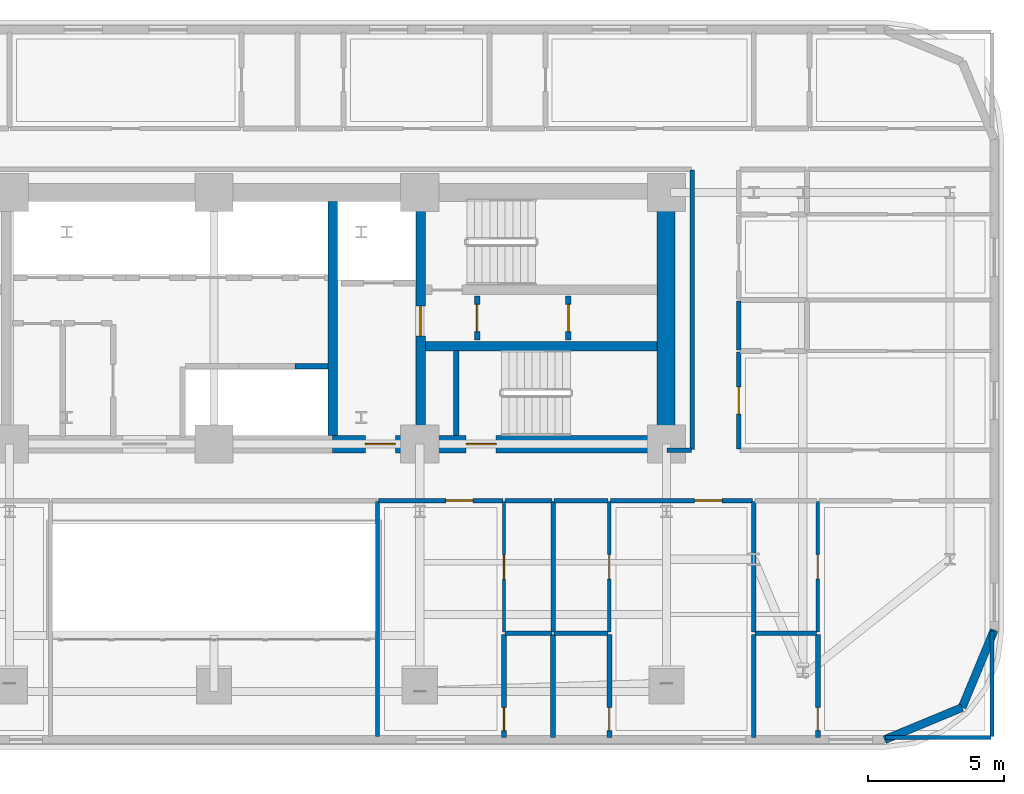
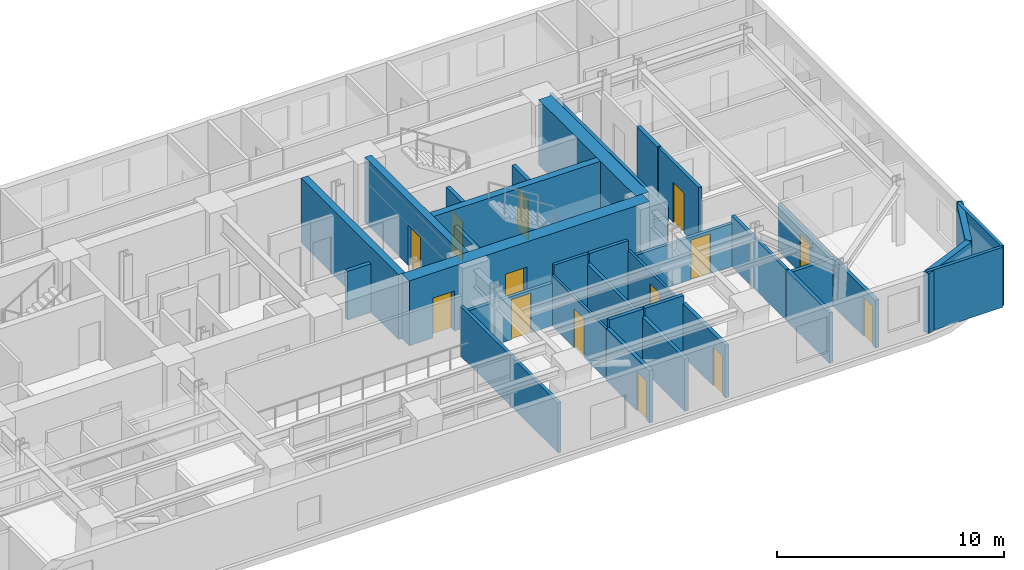
# One storey, part 11 of 16: 35 walls, 14 doors, 14 openings.
"""IFC4 building model written with IfcOpenShell, lengths in metres."""

from ifc_helpers import new_model, si_unit, direction, frame, frame_2d, origin, place, context, subcontext, project, spatial, rectangle, extrude, material, layer, layer_set, type_object, element, fill, save


model = new_model("IFC4")

# Units and contexts
model_context = context("Model", 3, precision=1e-05, world=origin(), true_north=direction((0.0, 1.0)))
body_context = subcontext(model_context, "Body", "Model", "MODEL_VIEW")
ifc_project = project(units=[si_unit("LENGTHUNIT", "METRE"), si_unit("AREAUNIT", "SQUARE_METRE"), si_unit("VOLUMEUNIT", "CUBIC_METRE"), si_unit("PLANEANGLEUNIT", "RADIAN"), si_unit("MASSUNIT", "GRAM", prefix="KILO")], contexts=[model_context])

# Site, building, storey
site_placement = place(None, origin())
site = spatial("IfcSite", under=ifc_project, at=site_placement, CompositionType="ELEMENT")
building_placement = place(site_placement, origin())
building = spatial("IfcBuilding", under=site, at=building_placement, Name="Zarnavel Station Tower", CompositionType="ELEMENT")
storey_placement = place(building_placement, frame((0.0, 0.0, 79.300048828125)))
storey = spatial("IfcBuildingStorey", under=building, at=storey_placement, Name="L21", CompositionType="ELEMENT", Elevation=79.300048828125)

# Wall
ifc_material_1 = material(Name="Concrete C50/60", Category="concrete")
ifc_layer_1 = layer(ifc_material_1, 0.35009765625)
ifc_layer_set_1 = layer_set([ifc_layer_1], Name="CW_350")
wall_type_1 = type_object("IfcWallType", Name="CW_350", PredefinedType="SHEAR", material=ifc_layer_set_1)
wall_1_placement = place(storey_placement, frame((33.14990234375, 28.14501953125, 0.0), z_axis=(0.0, 0.0, 1.0), x_axis=(0.0, 1.0, 0.0)))
element("IfcWall", 1, at=wall_1_placement, inside=storey, type_object=wall_type_1, Name="L21 Rear Core Shear Wall DIV-E", PredefinedType="SHEAR", context=body_context, shape_type="SweptSolid", body=[
    extrude(rectangle(XDim=8.580078125, YDim=0.35009765625, at=frame_2d((4.2900390625, 0.0))), origin(), (0.0, 0.0, 1.0), 3.5),
])

# Wall, opening, door
wall_2_placement = place(storey_placement, frame((36.3798828125, 28.14501953125, 0.0), z_axis=(0.0, 0.0, 1.0), x_axis=(0.0, 1.0, 0.0)))
wall_2 = element("IfcWall", 2, at=wall_2_placement, inside=storey, type_object=wall_type_1, Name="L21 Rear Core Shear Wall DIV-S2", PredefinedType="SHEAR", context=body_context, shape_type="SweptSolid", body=[
    extrude(rectangle(XDim=8.580078125, YDim=0.35009765625, at=frame_2d((4.2900390625, 0.0))), origin(), (0.0, 0.0, 1.0), 3.5),
])
opening_1_placement = place(wall_2_placement, frame((3.635009765625, 0.0, 0.0)))
opening_1 = element("IfcOpeningElement", 3, at=opening_1_placement, cuts=wall_2, Name="Opening FD01", PredefinedType="OPENING", context=body_context, shape_type="SweptSolid", body=[
    extrude(rectangle(XDim=1.10009765625, YDim=2.14990234375, at=frame_2d((0.550048828125, 1.074951171875))), frame((0.0, 0.18505859375, 0.0), z_axis=(0.0, -1.0, 0.0), x_axis=(1.0, 0.0, 0.0)), (0.0, 0.0, 1.0), 0.3701171875),
])
ifc_material_2 = material(Name="Painted Galvanised Steel and Hardwood Leaf", Category="steel")
door_type_1 = type_object("IfcDoorType", Name="ID_STAIR_1100", OperationType="NOTDEFINED", PredefinedType="DOOR", material=ifc_material_2)
door_1_placement = place(opening_1_placement, origin())
door_1 = element("IfcDoor", 4, at=door_1_placement, inside=storey, type_object=door_type_1, Name="L21 East Stair Vestibule Fire Door", OperationType="SINGLE_SWING_LEFT", OverallHeight=2.14990234375, OverallWidth=1.10009765625, PredefinedType="DOOR", context=body_context, shape_type="SweptSolid", body=[
    extrude(rectangle(XDim=1.10009765625, YDim=2.14990234375, at=frame_2d((0.550048828125, 1.074951171875))), frame((0.0, 0.02490234375, 0.0), z_axis=(0.0, -1.0, 0.0), x_axis=(1.0, 0.0, 0.0)), (0.0, 0.0, 1.0), 0.050048828125),
])
fill(opening_1, door_1)

# Wall
wall_3_placement = place(storey_placement, frame((36.554931640625, 31.419921875, 0.0), z_axis=(0.0, 0.0, 1.0), x_axis=(1.0, 0.0, 0.0)))
element("IfcWall", 5, at=wall_3_placement, inside=storey, type_object=wall_type_1, Name="L21 Rear Core Shear Wall DIV-H3", PredefinedType="SHEAR", context=body_context, shape_type="SweptSolid", body=[
    extrude(rectangle(XDim=8.5, YDim=0.35009765625, at=frame_2d((4.25, 0.0))), origin(), (0.0, 0.0, 1.0), 3.5),
])

# Wall, openings, doors
ifc_material_3 = material(Name="Concrete C60/75", Category="concrete")
ifc_layer_2 = layer(ifc_material_3, 0.64990234375)
ifc_layer_set_2 = layer_set([ifc_layer_2], Name="CW_650")
wall_type_2 = type_object("IfcWallType", Name="CW_650", PredefinedType="SHEAR", material=ifc_layer_set_2)
wall_4_placement = place(storey_placement, frame((45.3798828125, 27.820068359375, 0.0), z_axis=(0.0, 0.0, 1.0), x_axis=(-1.0, 0.0, 0.0)))
wall_4 = element("IfcWall", 6, at=wall_4_placement, inside=storey, type_object=wall_type_2, Name="L21 Rear Core Shear Wall S-E", PredefinedType="SHEAR", context=body_context, shape_type="SweptSolid", body=[
    extrude(rectangle(XDim=12.22998046875, YDim=0.64990234375, at=frame_2d((6.114990234375, 0.0))), origin(), (0.0, 0.0, 1.0), 3.5),
])
opening_2_placement = place(wall_4_placement, frame((9.929931640625, 0.0, 0.0)))
opening_2 = element("IfcOpeningElement", 7, at=opening_2_placement, cuts=wall_4, Name="Opening FD01", PredefinedType="OPENING", context=body_context, shape_type="SweptSolid", body=[
    extrude(rectangle(XDim=1.10009765625, YDim=2.14990234375, at=frame_2d((0.550048828125, 1.074951171875))), frame((0.0, 0.3349609375, 0.0), z_axis=(0.0, -1.0, 0.0), x_axis=(1.0, 0.0, 0.0)), (0.0, 0.0, 1.0), 0.669921875),
])
opening_3_placement = place(wall_4_placement, frame((6.22998046875, 0.0, 0.0)))
opening_3 = element("IfcOpeningElement", 8, at=opening_3_placement, cuts=wall_4, Name="Opening FD01", PredefinedType="OPENING", context=body_context, shape_type="SweptSolid", body=[
    extrude(rectangle(XDim=1.10009765625, YDim=2.14990234375, at=frame_2d((0.550048828125, 1.074951171875))), frame((0.0, 0.3349609375, 0.0), z_axis=(0.0, -1.0, 0.0), x_axis=(1.0, 0.0, 0.0)), (0.0, 0.0, 1.0), 0.669921875),
])
door_2_placement = place(opening_2_placement, origin())
door_2 = element("IfcDoor", 9, at=door_2_placement, inside=storey, type_object=door_type_1, Name="L21 East Firefighting Lobby Door", OperationType="SINGLE_SWING_LEFT", OverallHeight=2.14990234375, OverallWidth=1.10009765625, PredefinedType="DOOR", context=body_context, shape_type="SweptSolid", body=[
    extrude(rectangle(XDim=1.10009765625, YDim=2.14990234375, at=frame_2d((0.550048828125, 1.074951171875))), frame((0.0, 0.02490234375, 0.0), z_axis=(0.0, -1.0, 0.0), x_axis=(1.0, 0.0, 0.0)), (0.0, 0.0, 1.0), 0.050048828125),
])
fill(opening_2, door_2)
door_3_placement = place(opening_3_placement, origin())
door_3 = element("IfcDoor", 10, at=door_3_placement, inside=storey, type_object=door_type_1, Name="L21 Stair ST3 Corridor Fire Door", OperationType="SINGLE_SWING_RIGHT", OverallHeight=2.14990234375, OverallWidth=1.10009765625, PredefinedType="DOOR", context=body_context, shape_type="SweptSolid", body=[
    extrude(rectangle(XDim=1.10009765625, YDim=2.14990234375, at=frame_2d((0.550048828125, 1.074951171875))), frame((0.0, 0.02490234375, 0.0), z_axis=(0.0, -1.0, 0.0), x_axis=(1.0, 0.0, 0.0)), (0.0, 0.0, 1.0), 0.050048828125),
])
fill(opening_3, door_3)

# Walls
wall_5_placement = place(storey_placement, frame((45.3798828125, 28.14501953125, 0.0), z_axis=(0.0, 0.0, 1.0), x_axis=(0.0, 1.0, 0.0)))
element("IfcWall", 11, at=wall_5_placement, inside=storey, type_object=wall_type_2, Name="L21 Rear Core Shear Wall E", PredefinedType="SHEAR", context=body_context, shape_type="SweptSolid", body=[
    extrude(rectangle(XDim=8.580078125, YDim=0.64990234375, at=frame_2d((4.2900390625, 0.0))), origin(), (0.0, 0.0, 1.0), 3.5),
])
ifc_material_4 = material(Name="Precast concrete C45/55 (Dark Basalt Finish)", Category="masonry")
ifc_layer_3 = layer(ifc_material_4, 0.300048828125)
ifc_layer_set_3 = layer_set([ifc_layer_3], Name="EW_BASALT_300")
wall_type_3 = type_object("IfcWallType", Name="EW_BASALT_300", PredefinedType="SOLIDWALL", material=ifc_layer_set_3)
wall_6_placement = place(storey_placement, frame((56.24267578125, 18.157470703125, 0.0), z_axis=(0.0, 0.0, 1.0), x_axis=(-0.923882414032, -0.382676475685, 0.0)))
element("IfcWall", 12, at=wall_6_placement, inside=storey, type_object=wall_type_3, Name="L21 Exterior Basalt Masonry Frame Wall 01", PredefinedType="SOLIDWALL", context=body_context, shape_type="SweptSolid", body=[
    extrude(rectangle(XDim=3.076904296875, YDim=0.300048828125, at=frame_2d((1.53857421875, 0.0))), origin(), (0.0, 0.0, 1.0), 3.239990234375),
])
wall_7_placement = place(storey_placement, frame((57.419921875, 21.0, 0.0), z_axis=(0.0, 0.0, 1.0), x_axis=(-0.382636798336, -0.92389884758, 0.0)))
element("IfcWall", 13, at=wall_7_placement, inside=storey, type_object=wall_type_3, Name="L21 Exterior Basalt Masonry Frame Wall 02", PredefinedType="SOLIDWALL", context=body_context, shape_type="SweptSolid", body=[
    extrude(rectangle(XDim=3.07666015625, YDim=0.300048828125, at=frame_2d((1.538330078125, 0.0))), origin(), (0.0, 0.0, 1.0), 3.239990234375),
])

# Wall, opening, door
ifc_material_5 = material(Name="Gypsum Twin-Stud Acoustic Fire Partition", Category="concrete")
ifc_layer_4 = layer(ifc_material_5, 0.159912109375)
ifc_layer_set_4 = layer_set([ifc_layer_4], Name="PT_DEMISE_160")
wall_type_4 = type_object("IfcWallType", Name="PT_DEMISE_160", PredefinedType="PARTITIONING", material=ifc_layer_set_4)
wall_8_placement = place(storey_placement, frame((34.840087890625, 25.75, 0.0), z_axis=(0.0, 0.0, 1.0), x_axis=(1.0, 0.0, 0.0)))
wall_8 = element("IfcWall", 14, at=wall_8_placement, inside=storey, type_object=wall_type_4, Name="L21 Partition COR-S-HE1R", PredefinedType="PARTITIONING", context=body_context, shape_type="SweptSolid", body=[
    extrude(rectangle(XDim=4.556884765625, YDim=0.159912109375, at=frame_2d((2.2783203125, 0.0))), origin(), (0.0, 0.0, 1.0), 2.31005859375),
])
opening_4_placement = place(wall_8_placement, frame((2.461181640625, 0.0, 0.0)))
opening_4 = element("IfcOpeningElement", 15, at=opening_4_placement, cuts=wall_8, Name="Opening FD02", PredefinedType="OPENING", context=body_context, shape_type="SweptSolid", body=[
    extrude(rectangle(XDim=1.0, YDim=2.14990234375, at=frame_2d((0.5, 1.074951171875))), frame((0.0, 0.08984375, 0.0), z_axis=(0.0, -1.0, 0.0), x_axis=(1.0, 0.0, 0.0)), (0.0, 0.0, 1.0), 0.179931640625),
])
ifc_material_6 = material(Name="Painted Galvanised Steel and Hardwood Leaf", Category="steel")
door_type_2 = type_object("IfcDoorType", Name="ID_ENTRY_1000", OperationType="NOTDEFINED", PredefinedType="DOOR", material=ifc_material_6)
door_4_placement = place(opening_4_placement, origin())
door_4 = element("IfcDoor", 16, at=door_4_placement, inside=storey, type_object=door_type_2, Name="L21 Door COR-S-HE1R", OperationType="SINGLE_SWING_RIGHT", OverallHeight=2.14990234375, OverallWidth=1.0, PredefinedType="DOOR", context=body_context, shape_type="SweptSolid", body=[
    extrude(rectangle(XDim=1.0, YDim=2.14990234375, at=frame_2d((0.5, 1.074951171875))), frame((0.0, 0.02490234375, 0.0), z_axis=(0.0, -1.0, 0.0), x_axis=(1.0, 0.0, 0.0)), (0.0, 0.0, 1.0), 0.050048828125),
])
fill(opening_4, door_4)

# Wall
wall_9_placement = place(storey_placement, frame((39.47705078125, 25.75, 0.0), z_axis=(0.0, 0.0, 1.0), x_axis=(1.0, 0.0, 0.0)))
element("IfcWall", 17, at=wall_9_placement, inside=storey, type_object=wall_type_4, Name="L21 Partition COR-S-HE1S", PredefinedType="PARTITIONING", context=body_context, shape_type="SweptSolid", body=[
    extrude(rectangle(XDim=1.722900390625, YDim=0.159912109375, at=frame_2d((0.861328125, 0.0))), origin(), (0.0, 0.0, 1.0), 3.239990234375),
])

# Wall, opening, door
wall_10_placement = place(storey_placement, frame((43.341064453125, 25.75, 0.0), z_axis=(0.0, 0.0, 1.0), x_axis=(1.0, 0.0, 0.0)))
wall_10 = element("IfcWall", 18, at=wall_10_placement, inside=storey, type_object=wall_type_4, Name="L21 Partition COR-S-HE2R", PredefinedType="PARTITIONING", context=body_context, shape_type="SweptSolid", body=[
    extrude(rectangle(XDim=5.218994140625, YDim=0.159912109375, at=frame_2d((2.609375, 0.0))), origin(), (0.0, 0.0, 1.0), 2.31005859375),
])
opening_5_placement = place(wall_10_placement, frame((3.09423828125, 0.0, 0.0)))
opening_5 = element("IfcOpeningElement", 19, at=opening_5_placement, cuts=wall_10, Name="Opening FD02", PredefinedType="OPENING", context=body_context, shape_type="SweptSolid", body=[
    extrude(rectangle(XDim=1.0, YDim=2.14990234375, at=frame_2d((0.5, 1.074951171875))), frame((0.0, 0.08984375, 0.0), z_axis=(0.0, -1.0, 0.0), x_axis=(1.0, 0.0, 0.0)), (0.0, 0.0, 1.0), 0.179931640625),
])
door_5_placement = place(opening_5_placement, origin())
door_5 = element("IfcDoor", 20, at=door_5_placement, inside=storey, type_object=door_type_2, Name="L21 Door COR-S-HE2R", OperationType="SINGLE_SWING_LEFT", OverallHeight=2.14990234375, OverallWidth=1.0, PredefinedType="DOOR", context=body_context, shape_type="SweptSolid", body=[
    extrude(rectangle(XDim=1.0, YDim=2.14990234375, at=frame_2d((0.5, 1.074951171875))), frame((0.0, 0.02490234375, 0.0), z_axis=(0.0, -1.0, 0.0), x_axis=(1.0, 0.0, 0.0)), (0.0, 0.0, 1.0), 0.050048828125),
])
fill(opening_5, door_5)

# Wall
wall_11_placement = place(storey_placement, frame((41.280029296875, 25.75, 0.0), z_axis=(0.0, 0.0, 1.0), x_axis=(1.0, 0.0, 0.0)))
element("IfcWall", 21, at=wall_11_placement, inside=storey, type_object=wall_type_4, Name="L21 Partition COR-S-HE2S", PredefinedType="PARTITIONING", context=body_context, shape_type="SweptSolid", body=[
    extrude(rectangle(XDim=1.98095703125, YDim=0.159912109375, at=frame_2d((0.990478515625, 0.0))), origin(), (0.0, 0.0, 1.0), 3.239990234375),
])

# Wall, opening, door
wall_12_placement = place(storey_placement, frame((48.050048828125, 27.639892578125, 0.0), z_axis=(0.0, 0.0, 1.0), x_axis=(0.0, 1.0, 0.0)))
wall_12 = element("IfcWall", 22, at=wall_12_placement, inside=storey, type_object=wall_type_4, Name="L21 Partition COR-E-FNE1R", PredefinedType="PARTITIONING", context=body_context, shape_type="SweptSolid", body=[
    extrude(rectangle(XDim=3.55615234375, YDim=0.159912109375, at=frame_2d((1.778076171875, 0.0))), origin(), (0.0, 0.0, 1.0), 3.239990234375),
])
opening_6_placement = place(wall_12_placement, frame((1.278076171875, 0.0, 0.0)))
opening_6 = element("IfcOpeningElement", 23, at=opening_6_placement, cuts=wall_12, Name="Opening FD02", PredefinedType="OPENING", context=body_context, shape_type="SweptSolid", body=[
    extrude(rectangle(XDim=1.0, YDim=2.14990234375, at=frame_2d((0.5, 1.074951171875))), frame((0.0, 0.08984375, 0.0), z_axis=(0.0, -1.0, 0.0), x_axis=(1.0, 0.0, 0.0)), (0.0, 0.0, 1.0), 0.179931640625),
])
door_6_placement = place(opening_6_placement, origin())
door_6 = element("IfcDoor", 24, at=door_6_placement, inside=storey, type_object=door_type_2, Name="L21 Door COR-E-FNE1R", OperationType="SINGLE_SWING_LEFT", OverallHeight=2.14990234375, OverallWidth=1.0, PredefinedType="DOOR", context=body_context, shape_type="SweptSolid", body=[
    extrude(rectangle(XDim=1.0, YDim=2.14990234375, at=frame_2d((0.5, 1.074951171875))), frame((0.0, 0.02490234375, 0.0), z_axis=(0.0, -1.0, 0.0), x_axis=(1.0, 0.0, 0.0)), (0.0, 0.0, 1.0), 0.050048828125),
])
fill(opening_6, door_6)

# Walls
for number, where, z_axis, x_axis, name in (
    (25, (41.239990234375, 20.924072265625, 0.0), (0.0, 0.0, 1.0), (0.0, 1.0, 0.0), "L21 Partition HE1S-HE2S"),
    (26, (48.60009765625, 20.924072265625, 0.0), (0.0, 0.0, 1.0), (0.0, 1.0, 0.0), "L21 Partition HE2R-HE3S"),
):
    element("IfcWall", number, at=place(storey_placement, frame(where, z_axis=z_axis, x_axis=x_axis)), inside=storey, type_object=wall_type_4, Name=name, PredefinedType="PARTITIONING", context=body_context, shape_type="SweptSolid", body=[
        extrude(rectangle(XDim=4.785888671875, YDim=0.159912109375, at=frame_2d((2.39306640625, 0.0))), origin(), (0.0, 0.0, 1.0), 2.719970703125),
    ])
wall_13_placement = place(storey_placement, frame((45.409912109375, 27.60009765625, 0.0), z_axis=(0.0, 0.0, 1.0), x_axis=(1.0, 0.0, 0.0)))
element("IfcWall", 27, at=wall_13_placement, inside=storey, type_object=wall_type_4, Name="L21 Enclosure Wall COR-S", PredefinedType="PARTITIONING", context=body_context, shape_type="SweptSolid", body=[
    extrude(rectangle(XDim=0.91015625, YDim=0.159912109375, at=frame_2d((0.455078125, 0.0))), origin(), (0.0, 0.0, 1.0), 2.280029296875),
])
wall_14_placement = place(storey_placement, frame((46.35009765625, 27.6298828125, 0.0), z_axis=(0.0, 0.0, 1.0), x_axis=(0.0, 1.0, 0.0)))
element("IfcWall", 28, at=wall_14_placement, inside=storey, type_object=wall_type_4, Name="L21 Enclosure Wall COR-E", PredefinedType="PARTITIONING", context=body_context, shape_type="SweptSolid", body=[
    extrude(rectangle(XDim=10.240234375, YDim=0.159912109375, at=frame_2d((5.1201171875, 0.0))), origin(), (0.0, 0.0, 1.0), 2.719970703125),
])
wall_15_placement = place(storey_placement, frame((34.800048828125, 17.090087890625, 0.0), z_axis=(0.0, 0.0, 1.0), x_axis=(0.0, 1.0, 0.0)))
element("IfcWall", 29, at=wall_15_placement, inside=storey, type_object=wall_type_4, Name="L21 Enclosure Wall HE1R", PredefinedType="PARTITIONING", context=body_context, shape_type="SweptSolid", body=[
    extrude(rectangle(XDim=8.6298828125, YDim=0.159912109375, at=frame_2d((4.31494140625, 0.0))), origin(), (0.0, 0.0, 1.0), 2.679931640625),
])
wall_16_placement = place(storey_placement, frame((53.429931640625, 17.06005859375, 0.0), z_axis=(0.0, 0.0, 1.0), x_axis=(1.0, 0.0, 0.0)))
element("IfcWall", 30, at=wall_16_placement, inside=storey, type_object=wall_type_4, Name="L21 Enclosure Wall HE3R", PredefinedType="PARTITIONING", context=body_context, shape_type="SweptSolid", body=[
    extrude(rectangle(XDim=3.880126953125, YDim=0.159912109375, at=frame_2d((1.93994140625, 0.0))), origin(), (0.0, 0.0, 1.0), 3.239990234375),
])
wall_17_placement = place(storey_placement, frame((57.340087890625, 17.090087890625, 0.0), z_axis=(0.0, 0.0, 1.0), x_axis=(0.0, 1.0, 0.0)))
element("IfcWall", 31, at=wall_17_placement, inside=storey, type_object=wall_type_4, Name="L21 Enclosure Wall HE3R", PredefinedType="PARTITIONING", context=body_context, shape_type="SweptSolid", body=[
    extrude(rectangle(XDim=3.8798828125, YDim=0.159912109375, at=frame_2d((1.93994140625, 0.0))), origin(), (0.0, 0.0, 1.0), 3.239990234375),
])

# Wall, opening, door
ifc_material_7 = material(Name="Gypsum Metal-Stud Interior Partition", Category="concrete")
ifc_layer_5 = layer(ifc_material_7, 0.1201171875)
ifc_layer_set_5 = layer_set([ifc_layer_5], Name="PT_ROOM_120")
wall_type_5 = type_object("IfcWallType", Name="PT_ROOM_120", PredefinedType="PARTITIONING", material=ifc_layer_set_5)
wall_18_placement = place(storey_placement, frame((39.43701171875, 20.924072265625, 0.0), z_axis=(0.0, 0.0, 1.0), x_axis=(0.0, 1.0, 0.0)))
wall_18 = element("IfcWall", 32, at=wall_18_placement, inside=storey, type_object=wall_type_5, Name="L21 Partition HE1R-HE1S", PredefinedType="PARTITIONING", context=body_context, shape_type="SweptSolid", body=[
    extrude(rectangle(XDim=4.785888671875, YDim=0.1201171875, at=frame_2d((2.39306640625, 0.0))), origin(), (0.0, 0.0, 1.0), 2.719970703125),
])
opening_7_placement = place(wall_18_placement, frame((1.943115234375, 0.0, 0.0)))
opening_7 = element("IfcOpeningElement", 33, at=opening_7_placement, cuts=wall_18, Name="Opening ID01", PredefinedType="OPENING", context=body_context, shape_type="SweptSolid", body=[
    extrude(rectangle(XDim=0.89990234375, YDim=2.10009765625, at=frame_2d((0.449951171875, 1.050048828125))), frame((0.0, 0.070068359375, 0.0), z_axis=(0.0, -1.0, 0.0), x_axis=(1.0, 0.0, 0.0)), (0.0, 0.0, 1.0), 0.14013671875),
])
ifc_material_8 = material(Name="Painted Galvanised Steel and Hardwood Leaf", Category="steel")
door_type_3 = type_object("IfcDoorType", Name="ID_ROOM_900", OperationType="NOTDEFINED", PredefinedType="DOOR", material=ifc_material_8)
door_7_placement = place(opening_7_placement, origin())
door_7 = element("IfcDoor", 34, at=door_7_placement, inside=storey, type_object=door_type_3, Name="L21 Door HE1R-HE1S", OperationType="SINGLE_SWING_LEFT", OverallHeight=2.10009765625, OverallWidth=0.89990234375, PredefinedType="DOOR", context=body_context, shape_type="SweptSolid", body=[
    extrude(rectangle(XDim=0.89990234375, YDim=2.10009765625, at=frame_2d((0.449951171875, 1.050048828125))), frame((0.0, 0.02490234375, 0.0), z_axis=(0.0, -1.0, 0.0), x_axis=(1.0, 0.0, 0.0)), (0.0, 0.0, 1.0), 0.050048828125),
])
fill(opening_7, door_7)

wall_19_placement = place(storey_placement, frame((43.301025390625, 20.924072265625, 0.0), z_axis=(0.0, 0.0, 1.0), x_axis=(0.0, 1.0, 0.0)))
wall_19 = element("IfcWall", 35, at=wall_19_placement, inside=storey, type_object=wall_type_5, Name="L21 Partition HE2R-HE2S", PredefinedType="PARTITIONING", context=body_context, shape_type="SweptSolid", body=[
    extrude(rectangle(XDim=4.785888671875, YDim=0.1201171875, at=frame_2d((2.39306640625, 0.0))), origin(), (0.0, 0.0, 1.0), 2.719970703125),
])
opening_8_placement = place(wall_19_placement, frame((1.943115234375, 0.0, 0.0)))
opening_8 = element("IfcOpeningElement", 36, at=opening_8_placement, cuts=wall_19, Name="Opening ID01", PredefinedType="OPENING", context=body_context, shape_type="SweptSolid", body=[
    extrude(rectangle(XDim=0.89990234375, YDim=2.10009765625, at=frame_2d((0.449951171875, 1.050048828125))), frame((0.0, 0.070068359375, 0.0), z_axis=(0.0, -1.0, 0.0), x_axis=(1.0, 0.0, 0.0)), (0.0, 0.0, 1.0), 0.14013671875),
])
door_8_placement = place(opening_8_placement, origin())
door_8 = element("IfcDoor", 37, at=door_8_placement, inside=storey, type_object=door_type_3, Name="L21 Door HE2R-HE2S", OperationType="SINGLE_SWING_LEFT", OverallHeight=2.10009765625, OverallWidth=0.89990234375, PredefinedType="DOOR", context=body_context, shape_type="SweptSolid", body=[
    extrude(rectangle(XDim=0.89990234375, YDim=2.10009765625, at=frame_2d((0.449951171875, 1.050048828125))), frame((0.0, 0.02490234375, 0.0), z_axis=(0.0, -1.0, 0.0), x_axis=(1.0, 0.0, 0.0)), (0.0, 0.0, 1.0), 0.050048828125),
])
fill(opening_8, door_8)

wall_20_placement = place(storey_placement, frame((50.949951171875, 20.924072265625, 0.0), z_axis=(0.0, 0.0, 1.0), x_axis=(0.0, 1.0, 0.0)))
wall_20 = element("IfcWall", 38, at=wall_20_placement, inside=storey, type_object=wall_type_5, Name="L21 Partition HE3R-HE3S", PredefinedType="PARTITIONING", context=body_context, shape_type="SweptSolid", body=[
    extrude(rectangle(XDim=4.785888671875, YDim=0.1201171875, at=frame_2d((2.39306640625, 0.0))), origin(), (0.0, 0.0, 1.0), 2.570068359375),
])
opening_9_placement = place(wall_20_placement, frame((1.943115234375, 0.0, 0.0)))
opening_9 = element("IfcOpeningElement", 39, at=opening_9_placement, cuts=wall_20, Name="Opening ID01", PredefinedType="OPENING", context=body_context, shape_type="SweptSolid", body=[
    extrude(rectangle(XDim=0.89990234375, YDim=2.10009765625, at=frame_2d((0.449951171875, 1.050048828125))), frame((0.0, 0.070068359375, 0.0), z_axis=(0.0, -1.0, 0.0), x_axis=(1.0, 0.0, 0.0)), (0.0, 0.0, 1.0), 0.14013671875),
])
door_9_placement = place(opening_9_placement, origin())
door_9 = element("IfcDoor", 40, at=door_9_placement, inside=storey, type_object=door_type_3, Name="L21 Door HE3R-HE3S", OperationType="SINGLE_SWING_LEFT", OverallHeight=2.10009765625, OverallWidth=0.89990234375, PredefinedType="DOOR", context=body_context, shape_type="SweptSolid", body=[
    extrude(rectangle(XDim=0.89990234375, YDim=2.10009765625, at=frame_2d((0.449951171875, 1.050048828125))), frame((0.0, 0.02490234375, 0.0), z_axis=(0.0, -1.0, 0.0), x_axis=(1.0, 0.0, 0.0)), (0.0, 0.0, 1.0), 0.050048828125),
])
fill(opening_9, door_9)

# Walls
ifc_material_9 = material(Name="Precast concrete C45/55 (Fire Shaft Blockwork)", Category="masonry")
ifc_layer_6 = layer(ifc_material_9, 0.199951171875)
ifc_layer_set_6 = layer_set([ifc_layer_6], Name="PT_SHAFT_200")
wall_type_6 = type_object("IfcWallType", Name="PT_SHAFT_200", PredefinedType="PARTITIONING", material=ifc_layer_set_6)
wall_21_placement = place(storey_placement, frame((31.77490234375, 30.669921875, 0.0), z_axis=(0.0, 0.0, 1.0), x_axis=(1.0, 0.0, 0.0)))
element("IfcWall", 41, at=wall_21_placement, inside=storey, type_object=wall_type_6, Name="L21 Lift PL-H3 Shaft Front Wall", PredefinedType="PARTITIONING", context=body_context, shape_type="SweptSolid", body=[
    extrude(rectangle(XDim=1.2001953125, YDim=0.199951171875, at=frame_2d((0.60009765625, 0.0))), origin(), (0.0, 0.0, 1.0), 2.619873046875),
])
wall_22_placement = place(storey_placement, frame((37.679931640625, 28.14501953125, 0.0), z_axis=(0.0, 0.0, 1.0), x_axis=(0.0, 1.0, 0.0)))
element("IfcWall", 42, at=wall_22_placement, inside=storey, type_object=wall_type_6, Name="L21 Stair ST3 West Shaft Wall", PredefinedType="PARTITIONING", context=body_context, shape_type="SweptSolid", body=[
    extrude(rectangle(XDim=3.10498046875, YDim=0.199951171875, at=frame_2d((1.552490234375, 0.0))), origin(), (0.0, 0.0, 1.0), 2.619873046875),
])

# Wall, opening, door
wall_23_placement = place(storey_placement, frame((38.449951171875, 31.639892578125, 0.0), z_axis=(0.0, 0.0, 1.0), x_axis=(0.0, 1.0, 0.0)))
wall_23 = element("IfcWall", 43, at=wall_23_placement, inside=storey, type_object=wall_type_6, Name="L21 Partition ESTV-CEA", PredefinedType="PARTITIONING", context=body_context, shape_type="SweptSolid", body=[
    extrude(rectangle(XDim=1.6201171875, YDim=0.199951171875, at=frame_2d((0.81005859375, 0.0))), origin(), (0.0, 0.0, 1.0), 3.239990234375),
])
opening_10_placement = place(wall_23_placement, frame((0.31005859375, 0.0, 0.0)))
opening_10 = element("IfcOpeningElement", 44, at=opening_10_placement, cuts=wall_23, Name="Opening FD02", PredefinedType="OPENING", context=body_context, shape_type="SweptSolid", body=[
    extrude(rectangle(XDim=1.0, YDim=2.14990234375, at=frame_2d((0.5, 1.074951171875))), frame((0.0, 0.10986328125, 0.0), z_axis=(0.0, -1.0, 0.0), x_axis=(1.0, 0.0, 0.0)), (0.0, 0.0, 1.0), 0.219970703125),
])
door_10_placement = place(opening_10_placement, origin())
door_10 = element("IfcDoor", 45, at=door_10_placement, inside=storey, type_object=door_type_2, Name="L21 Door ESTV-CEA", OperationType="SINGLE_SWING_RIGHT", OverallHeight=2.14990234375, OverallWidth=1.0, PredefinedType="DOOR", context=body_context, shape_type="SweptSolid", body=[
    extrude(rectangle(XDim=1.0, YDim=2.14990234375, at=frame_2d((0.5, 1.074951171875))), frame((0.0, 0.02490234375, 0.0), z_axis=(0.0, -1.0, 0.0), x_axis=(1.0, 0.0, 0.0)), (0.0, 0.0, 1.0), 0.050048828125),
])
fill(opening_10, door_10)

wall_24_placement = place(storey_placement, frame((41.800048828125, 31.639892578125, 0.0), z_axis=(0.0, 0.0, 1.0), x_axis=(0.0, 1.0, 0.0)))
wall_24 = element("IfcWall", 46, at=wall_24_placement, inside=storey, type_object=wall_type_6, Name="L21 Partition CEA-CEB", PredefinedType="PARTITIONING", context=body_context, shape_type="SweptSolid", body=[
    extrude(rectangle(XDim=1.6201171875, YDim=0.199951171875, at=frame_2d((0.81005859375, 0.0))), origin(), (0.0, 0.0, 1.0), 3.239990234375),
])
opening_11_placement = place(wall_24_placement, frame((0.31005859375, 0.0, 0.0)))
opening_11 = element("IfcOpeningElement", 47, at=opening_11_placement, cuts=wall_24, Name="Opening FD02", PredefinedType="OPENING", context=body_context, shape_type="SweptSolid", body=[
    extrude(rectangle(XDim=1.0, YDim=2.14990234375, at=frame_2d((0.5, 1.074951171875))), frame((0.0, 0.10986328125, 0.0), z_axis=(0.0, -1.0, 0.0), x_axis=(1.0, 0.0, 0.0)), (0.0, 0.0, 1.0), 0.219970703125),
])
door_11_placement = place(opening_11_placement, origin())
door_11 = element("IfcDoor", 48, at=door_11_placement, inside=storey, type_object=door_type_2, Name="L21 Door CEA-CEB", OperationType="SINGLE_SWING_LEFT", OverallHeight=2.14990234375, OverallWidth=1.0, PredefinedType="DOOR", context=body_context, shape_type="SweptSolid", body=[
    extrude(rectangle(XDim=1.0, YDim=2.14990234375, at=frame_2d((0.5, 1.074951171875))), frame((0.0, 0.02490234375, 0.0), z_axis=(0.0, -1.0, 0.0), x_axis=(1.0, 0.0, 0.0)), (0.0, 0.0, 1.0), 0.050048828125),
])
fill(opening_11, door_11)

# Wall
ifc_material_10 = material(Name="Moisture-Resistant Plumbing Chase Wall", Category="concrete")
ifc_layer_7 = layer(ifc_material_10, 0.179931640625)
ifc_layer_set_7 = layer_set([ifc_layer_7], Name="PW_PLUMB_180")
wall_type_7 = type_object("IfcWallType", Name="PW_PLUMB_180", PredefinedType="PLUMBINGWALL", material=ifc_layer_set_7)
wall_25_placement = place(storey_placement, frame((48.050048828125, 31.27587890625, 0.0), z_axis=(0.0, 0.0, 1.0), x_axis=(0.0, 1.0, 0.0)))
element("IfcWall", 49, at=wall_25_placement, inside=storey, type_object=wall_type_7, Name="L21 Partition COR-E-FNE1B", PredefinedType="PLUMBINGWALL", context=body_context, shape_type="SweptSolid", body=[
    extrude(rectangle(XDim=1.793212890625, YDim=0.179931640625, at=frame_2d((0.896484375, 0.0))), origin(), (0.0, 0.0, 1.0), 3.239990234375),
])

# Wall, opening, door
wall_26_placement = place(storey_placement, frame((39.43701171875, 17.06005859375, 0.0), z_axis=(0.0, 0.0, 1.0), x_axis=(0.0, 1.0, 0.0)))
wall_26 = element("IfcWall", 50, at=wall_26_placement, inside=storey, type_object=wall_type_7, Name="L21 Partition HE1R-HE1B", PredefinedType="PLUMBINGWALL", context=body_context, shape_type="SweptSolid", body=[
    extrude(rectangle(XDim=3.783935546875, YDim=0.179931640625, at=frame_2d((1.89208984375, 0.0))), origin(), (0.0, 0.0, 1.0), 2.820068359375),
])
opening_12_placement = place(wall_26_placement, frame((0.25048828125, 0.0, 0.0)))
opening_12 = element("IfcOpeningElement", 51, at=opening_12_placement, cuts=wall_26, Name="Opening ID02", PredefinedType="OPENING", context=body_context, shape_type="SweptSolid", body=[
    extrude(rectangle(XDim=0.85009765625, YDim=2.10009765625, at=frame_2d((0.425048828125, 1.050048828125))), frame((0.0, 0.099853515625, 0.0), z_axis=(0.0, -1.0, 0.0), x_axis=(1.0, 0.0, 0.0)), (0.0, 0.0, 1.0), 0.199951171875),
])
ifc_material_11 = material(Name="Painted Galvanised Steel and Hardwood Leaf", Category="steel")
door_type_4 = type_object("IfcDoorType", Name="ID_BATH_850", OperationType="NOTDEFINED", PredefinedType="DOOR", material=ifc_material_11)
door_12_placement = place(opening_12_placement, origin())
door_12 = element("IfcDoor", 52, at=door_12_placement, inside=storey, type_object=door_type_4, Name="L21 Door HE1R-HE1B", OperationType="SINGLE_SWING_RIGHT", OverallHeight=2.10009765625, OverallWidth=0.85009765625, PredefinedType="DOOR", context=body_context, shape_type="SweptSolid", body=[
    extrude(rectangle(XDim=0.85009765625, YDim=2.10009765625, at=frame_2d((0.425048828125, 1.050048828125))), frame((0.0, 0.02490234375, 0.0), z_axis=(0.0, -1.0, 0.0), x_axis=(1.0, 0.0, 0.0)), (0.0, 0.0, 1.0), 0.050048828125),
])
fill(opening_12, door_12)

# Walls
wall_27_placement = place(storey_placement, frame((39.47705078125, 20.884033203125, 0.0), z_axis=(0.0, 0.0, 1.0), x_axis=(1.0, 0.0, 0.0)))
element("IfcWall", 53, at=wall_27_placement, inside=storey, type_object=wall_type_7, Name="L21 Partition HE1B-HE1S", PredefinedType="PLUMBINGWALL", context=body_context, shape_type="SweptSolid", body=[
    extrude(rectangle(XDim=1.722900390625, YDim=0.179931640625, at=frame_2d((0.861328125, 0.0))), origin(), (0.0, 0.0, 1.0), 3.239990234375),
])
wall_28_placement = place(storey_placement, frame((41.239990234375, 17.06005859375, 0.0), z_axis=(0.0, 0.0, 1.0), x_axis=(0.0, 1.0, 0.0)))
element("IfcWall", 54, at=wall_28_placement, inside=storey, type_object=wall_type_7, Name="L21 Partition HE1B-HE2B", PredefinedType="PLUMBINGWALL", context=body_context, shape_type="SweptSolid", body=[
    extrude(rectangle(XDim=3.783935546875, YDim=0.179931640625, at=frame_2d((1.89208984375, 0.0))), origin(), (0.0, 0.0, 1.0), 2.820068359375),
])

# Wall, opening, door
wall_29_placement = place(storey_placement, frame((43.301025390625, 17.06005859375, 0.0), z_axis=(0.0, 0.0, 1.0), x_axis=(0.0, 1.0, 0.0)))
wall_29 = element("IfcWall", 55, at=wall_29_placement, inside=storey, type_object=wall_type_7, Name="L21 Partition HE2R-HE2B", PredefinedType="PLUMBINGWALL", context=body_context, shape_type="SweptSolid", body=[
    extrude(rectangle(XDim=3.783935546875, YDim=0.179931640625, at=frame_2d((1.89208984375, 0.0))), origin(), (0.0, 0.0, 1.0), 2.820068359375),
])
opening_13_placement = place(wall_29_placement, frame((0.25048828125, 0.0, 0.0)))
opening_13 = element("IfcOpeningElement", 56, at=opening_13_placement, cuts=wall_29, Name="Opening ID02", PredefinedType="OPENING", context=body_context, shape_type="SweptSolid", body=[
    extrude(rectangle(XDim=0.85009765625, YDim=2.10009765625, at=frame_2d((0.425048828125, 1.050048828125))), frame((0.0, 0.099853515625, 0.0), z_axis=(0.0, -1.0, 0.0), x_axis=(1.0, 0.0, 0.0)), (0.0, 0.0, 1.0), 0.199951171875),
])
door_13_placement = place(opening_13_placement, origin())
door_13 = element("IfcDoor", 57, at=door_13_placement, inside=storey, type_object=door_type_4, Name="L21 Door HE2R-HE2B", OperationType="SINGLE_SWING_RIGHT", OverallHeight=2.10009765625, OverallWidth=0.85009765625, PredefinedType="DOOR", context=body_context, shape_type="SweptSolid", body=[
    extrude(rectangle(XDim=0.85009765625, YDim=2.10009765625, at=frame_2d((0.425048828125, 1.050048828125))), frame((0.0, 0.02490234375, 0.0), z_axis=(0.0, -1.0, 0.0), x_axis=(1.0, 0.0, 0.0)), (0.0, 0.0, 1.0), 0.050048828125),
])
fill(opening_13, door_13)

# Walls
wall_30_placement = place(storey_placement, frame((48.60009765625, 17.06005859375, 0.0), z_axis=(0.0, 0.0, 1.0), x_axis=(0.0, 1.0, 0.0)))
element("IfcWall", 58, at=wall_30_placement, inside=storey, type_object=wall_type_7, Name="L21 Partition HE2R-HE3B", PredefinedType="PLUMBINGWALL", context=body_context, shape_type="SweptSolid", body=[
    extrude(rectangle(XDim=3.783935546875, YDim=0.179931640625, at=frame_2d((1.89208984375, 0.0))), origin(), (0.0, 0.0, 1.0), 2.719970703125),
])
wall_31_placement = place(storey_placement, frame((41.280029296875, 20.884033203125, 0.0), z_axis=(0.0, 0.0, 1.0), x_axis=(1.0, 0.0, 0.0)))
element("IfcWall", 59, at=wall_31_placement, inside=storey, type_object=wall_type_7, Name="L21 Partition HE2B-HE2S", PredefinedType="PLUMBINGWALL", context=body_context, shape_type="SweptSolid", body=[
    extrude(rectangle(XDim=1.98095703125, YDim=0.179931640625, at=frame_2d((0.990478515625, 0.0))), origin(), (0.0, 0.0, 1.0), 3.239990234375),
])

# Wall, opening, door
wall_32_placement = place(storey_placement, frame((50.949951171875, 17.06005859375, 0.0), z_axis=(0.0, 0.0, 1.0), x_axis=(0.0, 1.0, 0.0)))
wall_32 = element("IfcWall", 60, at=wall_32_placement, inside=storey, type_object=wall_type_7, Name="L21 Partition HE3R-HE3B", PredefinedType="PLUMBINGWALL", context=body_context, shape_type="SweptSolid", body=[
    extrude(rectangle(XDim=3.783935546875, YDim=0.179931640625, at=frame_2d((1.89208984375, 0.0))), origin(), (0.0, 0.0, 1.0), 2.570068359375),
])
opening_14_placement = place(wall_32_placement, frame((0.25048828125, 0.0, 0.0)))
opening_14 = element("IfcOpeningElement", 61, at=opening_14_placement, cuts=wall_32, Name="Opening ID02", PredefinedType="OPENING", context=body_context, shape_type="SweptSolid", body=[
    extrude(rectangle(XDim=0.85009765625, YDim=2.10009765625, at=frame_2d((0.425048828125, 1.050048828125))), frame((0.0, 0.099853515625, 0.0), z_axis=(0.0, -1.0, 0.0), x_axis=(1.0, 0.0, 0.0)), (0.0, 0.0, 1.0), 0.199951171875),
])
door_14_placement = place(opening_14_placement, origin())
door_14 = element("IfcDoor", 62, at=door_14_placement, inside=storey, type_object=door_type_4, Name="L21 Door HE3R-HE3B", OperationType="SINGLE_SWING_RIGHT", OverallHeight=2.10009765625, OverallWidth=0.85009765625, PredefinedType="DOOR", context=body_context, shape_type="SweptSolid", body=[
    extrude(rectangle(XDim=0.85009765625, YDim=2.10009765625, at=frame_2d((0.425048828125, 1.050048828125))), frame((0.0, 0.02490234375, 0.0), z_axis=(0.0, -1.0, 0.0), x_axis=(1.0, 0.0, 0.0)), (0.0, 0.0, 1.0), 0.050048828125),
])
fill(opening_14, door_14)

# Wall
wall_33_placement = place(storey_placement, frame((48.639892578125, 20.884033203125, 0.0), z_axis=(0.0, 0.0, 1.0), x_axis=(1.0, 0.0, 0.0)))
element("IfcWall", 63, at=wall_33_placement, inside=storey, type_object=wall_type_7, Name="L21 Partition HE3B-HE3S", PredefinedType="PLUMBINGWALL", context=body_context, shape_type="SweptSolid", body=[
    extrude(rectangle(XDim=2.27001953125, YDim=0.179931640625, at=frame_2d((1.135009765625, 0.0))), origin(), (0.0, 0.0, 1.0), 2.570068359375),
])

save(model, "model.ifc")
